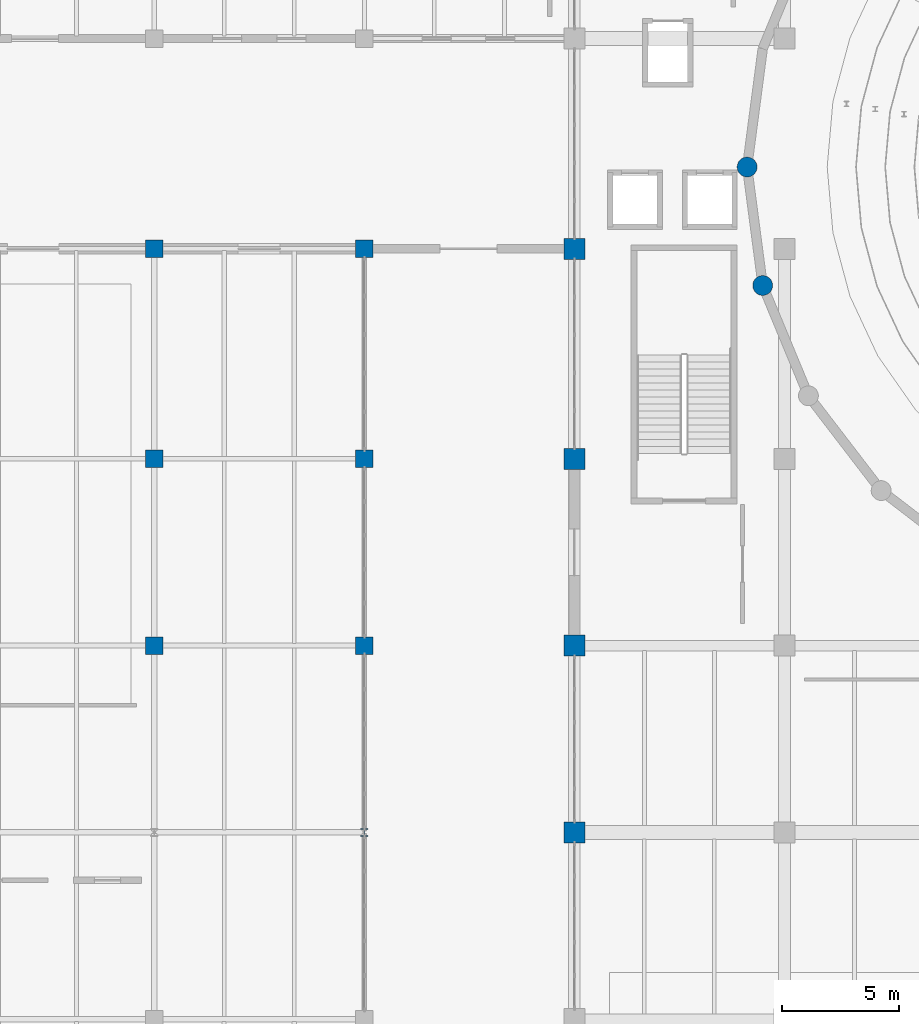
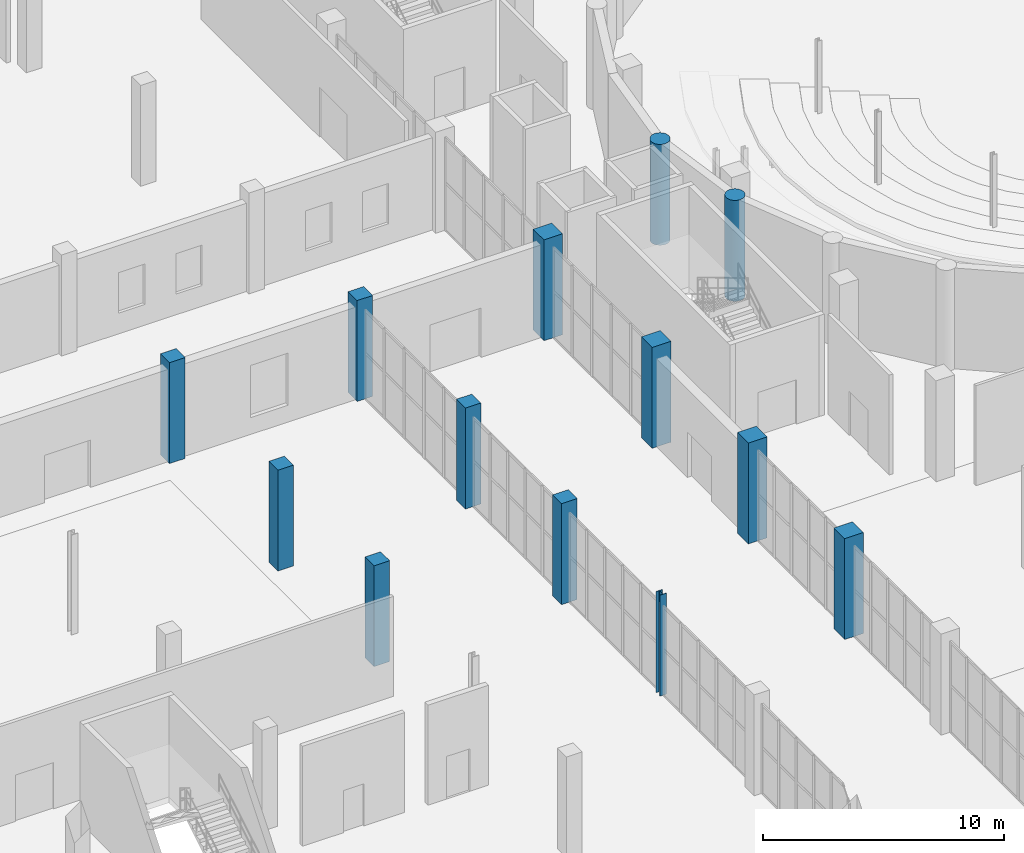
# One storey, part 7 of 103: 13 columns.
"""IFC4 building model written with IfcOpenShell, lengths in metres."""

from ifc_helpers import new_model, si_unit, direction, frame, origin, origin_2d, place, context, subcontext, project, spatial, rectangle, circle, i_section, extrude, material, material_profile, profile_set, type_object, element, save


model = new_model("IFC4")

# Units and contexts
model_context = context("Model", 3, precision=1e-05, world=origin(), true_north=direction((0.0, 1.0)))
body_context = subcontext(model_context, "Body", "Model", "MODEL_VIEW")
ifc_project = project(units=[si_unit("LENGTHUNIT", "METRE"), si_unit("AREAUNIT", "SQUARE_METRE"), si_unit("VOLUMEUNIT", "CUBIC_METRE"), si_unit("PLANEANGLEUNIT", "RADIAN"), si_unit("MASSUNIT", "GRAM", prefix="KILO")], contexts=[model_context])

# Site, building, storey
site_placement = place(None, origin())
site = spatial("IfcSite", under=ifc_project, at=site_placement, CompositionType="ELEMENT")
building_placement = place(site_placement, origin())
building = spatial("IfcBuilding", under=site, at=building_placement, Name="Marnock Terrace Opera House", CompositionType="ELEMENT")
storey_placement = place(building_placement, origin())
storey = spatial("IfcBuildingStorey", under=building, at=storey_placement, Name="L00", CompositionType="ELEMENT", Elevation=0.0)

# Columns
ifc_material_1 = material(Name="Concrete N50 (f'c = 50 MPa)", Category="concrete")
ifc_material_profile_1 = material_profile(ifc_material_1, circle(Radius=0.425048828125, at=origin_2d()))
ifc_profile_set_1 = profile_set([ifc_material_profile_1], Name="Concrete N50 (f'c = 50 MPa)")
column_type_1 = type_object("IfcColumnType", Name="COL-DRUM-850", PredefinedType="COLUMN", material=ifc_profile_set_1)
for number, where, z_axis, x_axis, name in (
    (1, (62.39990234375, 60.5, 0.0), (0.0, 0.0, 1.0), (1.0, 0.0, 0.0), "L00 auditorium drum pier 13"),
    (2, (63.068115234375, 55.427001953125, 0.0), (0.0, 0.0, 1.0), (1.0, 0.0, 0.0), "L00 auditorium drum pier 14"),
):
    element("IfcColumn", number, at=place(storey_placement, frame(where, z_axis=z_axis, x_axis=x_axis)), inside=storey, type_object=column_type_1, Name=name, PredefinedType="COLUMN", context=body_context, shape_type="SweptSolid", body=[
        extrude(circle(Radius=0.425048828125, at=origin_2d()), origin(), (0.0, 0.0, 1.0), 5.1201171875),
    ])
ifc_material_profile_2 = material_profile(ifc_material_1, rectangle(XDim=0.75, YDim=0.75, at=origin_2d()))
ifc_profile_set_2 = profile_set([ifc_material_profile_2], Name="Concrete N50 (f'c = 50 MPa)")
column_type_2 = type_object("IfcColumnType", Name="COL-RC750", PredefinedType="COLUMN", material=ifc_profile_set_2)
for number, where, z_axis, x_axis, name in (
    (3, (37.0, 40.0, 0.0), (0.0, 0.0, 1.0), (1.0, 0.0, 0.0), "L00 column at (37.0, 40.0)"),
    (4, (37.0, 48.0, 0.0), (0.0, 0.0, 1.0), (1.0, 0.0, 0.0), "L00 column at (37.0, 48.0)"),
    (5, (37.0, 57.0, 0.0), (0.0, 0.0, 1.0), (1.0, 0.0, 0.0), "L00 column at (37.0, 57.0)"),
    (6, (46.0, 40.0, 0.0), (0.0, 0.0, 1.0), (1.0, 0.0, 0.0), "L00 column at (46.0, 40.0)"),
    (7, (46.0, 48.0, 0.0), (0.0, 0.0, 1.0), (1.0, 0.0, 0.0), "L00 column at (46.0, 48.0)"),
    (8, (46.0, 57.0, 0.0), (0.0, 0.0, 1.0), (1.0, 0.0, 0.0), "L00 column at (46.0, 57.0)"),
):
    element("IfcColumn", number, at=place(storey_placement, frame(where, z_axis=z_axis, x_axis=x_axis)), inside=storey, type_object=column_type_2, Name=name, PredefinedType="COLUMN", context=body_context, shape_type="SweptSolid", body=[
        extrude(rectangle(XDim=0.75, YDim=0.75, at=origin_2d()), origin(), (0.0, 0.0, 1.0), 5.1201171875),
    ])
ifc_material_profile_3 = material_profile(ifc_material_1, rectangle(XDim=0.89990234375, YDim=0.89990234375, at=origin_2d()))
ifc_profile_set_3 = profile_set([ifc_material_profile_3], Name="Concrete N50 (f'c = 50 MPa)")
column_type_3 = type_object("IfcColumnType", Name="COL-RC900", PredefinedType="COLUMN", material=ifc_profile_set_3)
for number, where, z_axis, x_axis, name in (
    (9, (55.0, 32.0, 0.0), (0.0, 0.0, 1.0), (1.0, 0.0, 0.0), "L00 column at (55.0, 32.0)"),
    (10, (55.0, 40.0, 0.0), (0.0, 0.0, 1.0), (1.0, 0.0, 0.0), "L00 column at (55.0, 40.0)"),
    (11, (55.0, 48.0, 0.0), (0.0, 0.0, 1.0), (1.0, 0.0, 0.0), "L00 column at (55.0, 48.0)"),
    (12, (55.0, 57.0, 0.0), (0.0, 0.0, 1.0), (1.0, 0.0, 0.0), "L00 column at (55.0, 57.0)"),
):
    element("IfcColumn", number, at=place(storey_placement, frame(where, z_axis=z_axis, x_axis=x_axis)), inside=storey, type_object=column_type_3, Name=name, PredefinedType="COLUMN", context=body_context, shape_type="SweptSolid", body=[
        extrude(rectangle(XDim=0.89990234375, YDim=0.89990234375, at=origin_2d()), origin(), (0.0, 0.0, 1.0), 5.1201171875),
    ])
ifc_material_2 = material(Name="Steel Grade 350 (AS/NZS 3679.1)", Category="steel")
ifc_material_profile_4 = material_profile(ifc_material_2, i_section(OverallWidth=0.31103515625, OverallDepth=0.3271484375, WebThickness=0.015625, FlangeThickness=0.02490234375, FilletRadius=0.0166015625, at=origin_2d()))
ifc_profile_set_4 = profile_set([ifc_material_profile_4], Name="Steel Grade 350 (AS/NZS 3679.1)")
column_type_4 = type_object("IfcColumnType", Name="COL-UC310A", PredefinedType="COLUMN", material=ifc_profile_set_4)
column_placement = place(storey_placement, frame((46.0, 32.0, 0.0), z_axis=(0.0, 0.0, 1.0), x_axis=(1.0, 0.0, 0.0)))
element("IfcColumn", 13, at=column_placement, inside=storey, type_object=column_type_4, Name="L00 column at (46.0, 32.0)", PredefinedType="COLUMN", context=body_context, shape_type="SweptSolid", body=[
    extrude(i_section(OverallWidth=0.31103515625, OverallDepth=0.3271484375, WebThickness=0.015625, FlangeThickness=0.02490234375, FilletRadius=0.0166015625, at=origin_2d()), origin(), (0.0, 0.0, 1.0), 5.1201171875),
])

save(model, "model.ifc")
